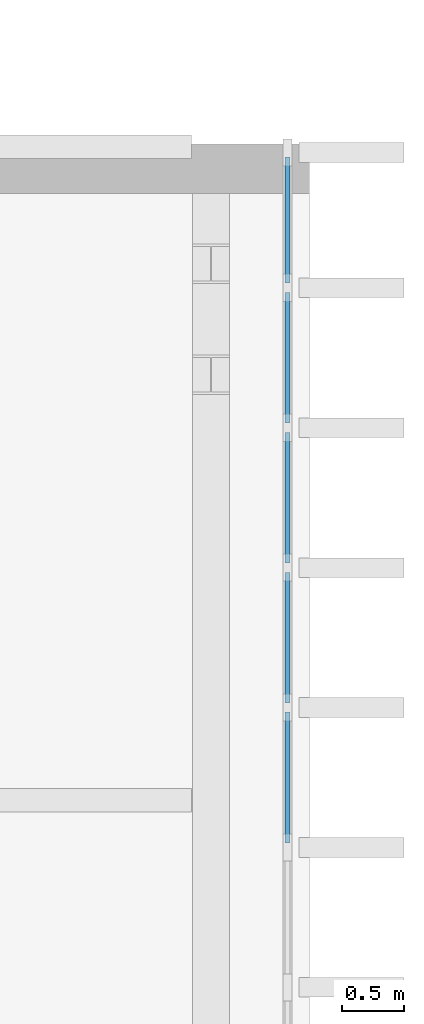
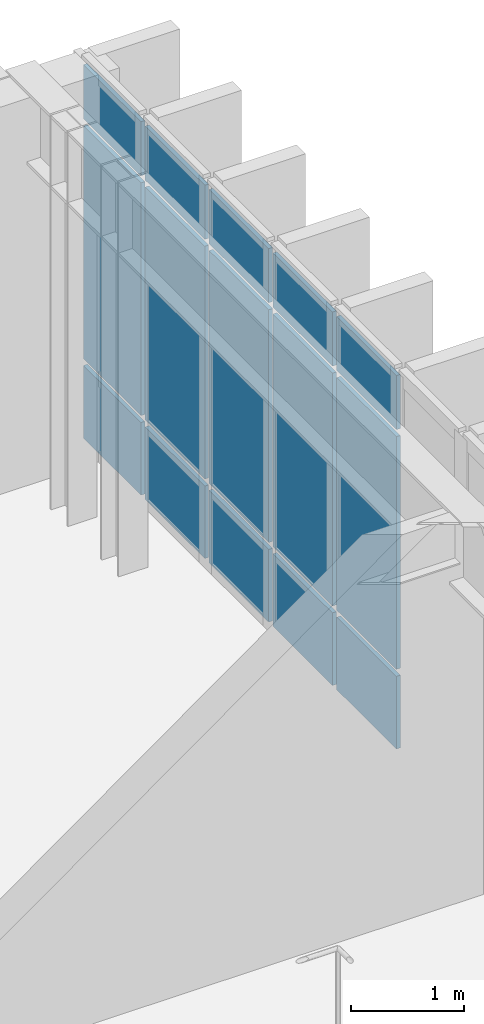
# One storey, part 12 of 23: 15 plates, 1 element without a shape of its own.
"""IFC4 building model written with IfcOpenShell, lengths in metres."""

from ifc_helpers import new_model, si_unit, direction, frame, origin, origin_2d, place, context, subcontext, project, spatial, rectangle, extrude, material, layer, layer_set, type_object, element, aggregate, save


model = new_model("IFC4")

# Units and contexts
model_context = context("Model", 3, precision=1e-05, world=origin(), true_north=direction((0.0, 1.0)))
body_context = subcontext(model_context, "Body", "Model", "MODEL_VIEW")
ifc_project = project(units=[si_unit("LENGTHUNIT", "METRE"), si_unit("AREAUNIT", "SQUARE_METRE"), si_unit("VOLUMEUNIT", "CUBIC_METRE"), si_unit("PLANEANGLEUNIT", "RADIAN"), si_unit("MASSUNIT", "GRAM", prefix="KILO")], contexts=[model_context])

# Site, building, storey
site_placement = place(None, origin())
site = spatial("IfcSite", under=ifc_project, at=site_placement, CompositionType="ELEMENT")
building_placement = place(site_placement, origin())
building = spatial("IfcBuilding", under=site, at=building_placement, Name="Kelarvand Opera House", CompositionType="ELEMENT")
storey_placement = place(building_placement, frame((0.0, 0.0, 19.5)))
storey = spatial("IfcBuildingStorey", under=building, at=storey_placement, Name="L04", CompositionType="ELEMENT", Elevation=19.5)

# Curtain wall, plates
ifc_material_1 = material(Name="Thermally broken aluminium and low-E glazing", Category="aluminium")
ifc_layer_1 = layer(ifc_material_1, 0.219970703125, Name="Thermally broken aluminium and low-E glazing", Category="aluminium")
ifc_layer_set_1 = layer_set([ifc_layer_1], Name="Thermally broken aluminium and low-E glazing")
curtain_wall_type = type_object("IfcCurtainWallType", Name="Unitised Low-E Curtain Wall 15886x4200 Mod 1150 CWF-07", PredefinedType="USERDEFINED", material=ifc_layer_set_1)
curtain_wall_placement = place(storey_placement, origin())
curtain_wall = element("IfcCurtainWall", 1, at=curtain_wall_placement, inside=storey, type_object=curtain_wall_type, Name="V1 L04 Curtain Wall CWF-07 (25)", ObjectType="UNITISED CURTAIN WALL", PredefinedType="USERDEFINED")
ifc_material_2 = material(Name="Acoustic triple-laminated low-E glazing", Category="glass")
ifc_layer_2 = layer(ifc_material_2, 0.0400390625, Name="Acoustic triple-laminated low-E glazing", Category="glass")
ifc_layer_set_2 = layer_set([ifc_layer_2], Name="Acoustic triple-laminated low-E glazing")
plate_type = type_object("IfcPlateType", Name="Acoustic Laminated Plaza Curtain Panel 40mm", PredefinedType="CURTAIN_PANEL", material=ifc_layer_set_2)
plate_1_placement = place(storey_placement, frame((154.820068359375, 77.803955078125, 0.074951171875), z_axis=(0.0, 0.0, 1.0), x_axis=(0.0, -1.0, 0.0)))
plate_1 = element("IfcPlate", 2, at=plate_1_placement, type_object=plate_type, Name="CWF-07 panel 1.1", PredefinedType="CURTAIN_PANEL", context=body_context, shape_type="SweptSolid", body=[
    extrude(rectangle(XDim=1.022216796875, YDim=0.0400390625, at=origin_2d()), origin(), (0.0, 0.0, 1.0), 0.78759765625),
])
plate_2_placement = place(storey_placement, frame((154.820068359375, 77.803955078125, 0.9375), z_axis=(0.0, 0.0, 1.0), x_axis=(0.0, -1.0, 0.0)))
plate_2 = element("IfcPlate", 3, at=plate_2_placement, type_object=plate_type, Name="CWF-07 panel 1.2", PredefinedType="CURTAIN_PANEL", context=body_context, shape_type="SweptSolid", body=[
    extrude(rectangle(XDim=1.022216796875, YDim=0.0400390625, at=origin_2d()), origin(), (0.0, 0.0, 1.0), 2.52490234375),
])
plate_3_placement = place(storey_placement, frame((154.820068359375, 77.803955078125, 3.53759765625), z_axis=(0.0, 0.0, 1.0), x_axis=(0.0, -1.0, 0.0)))
plate_3 = element("IfcPlate", 4, at=plate_3_placement, type_object=plate_type, Name="CWF-07 panel 1.3", PredefinedType="CURTAIN_PANEL", context=body_context, shape_type="SweptSolid", body=[
    extrude(rectangle(XDim=1.022216796875, YDim=0.0400390625, at=origin_2d()), origin(), (0.0, 0.0, 1.0), 0.58740234375),
])
plate_4_placement = place(storey_placement, frame((154.820068359375, 76.68798828125, 0.074951171875), z_axis=(0.0, 0.0, 1.0), x_axis=(0.0, -1.0, 0.0)))
plate_4 = element("IfcPlate", 5, at=plate_4_placement, type_object=plate_type, Name="CWF-07 panel 2.1", PredefinedType="CURTAIN_PANEL", context=body_context, shape_type="SweptSolid", body=[
    extrude(rectangle(XDim=1.059814453125, YDim=0.0400390625, at=origin_2d()), origin(), (0.0, 0.0, 1.0), 0.78759765625),
])
plate_5_placement = place(storey_placement, frame((154.820068359375, 76.68798828125, 0.9375), z_axis=(0.0, 0.0, 1.0), x_axis=(0.0, -1.0, 0.0)))
plate_5 = element("IfcPlate", 6, at=plate_5_placement, type_object=plate_type, Name="CWF-07 panel 2.2", PredefinedType="CURTAIN_PANEL", context=body_context, shape_type="SweptSolid", body=[
    extrude(rectangle(XDim=1.059814453125, YDim=0.0400390625, at=origin_2d()), origin(), (0.0, 0.0, 1.0), 2.52490234375),
])
plate_6_placement = place(storey_placement, frame((154.820068359375, 76.68798828125, 3.53759765625), z_axis=(0.0, 0.0, 1.0), x_axis=(0.0, -1.0, 0.0)))
plate_6 = element("IfcPlate", 7, at=plate_6_placement, type_object=plate_type, Name="CWF-07 panel 2.3", PredefinedType="CURTAIN_PANEL", context=body_context, shape_type="SweptSolid", body=[
    extrude(rectangle(XDim=1.059814453125, YDim=0.0400390625, at=origin_2d()), origin(), (0.0, 0.0, 1.0), 0.58740234375),
])
plate_7_placement = place(storey_placement, frame((154.820068359375, 75.55322265625, 0.074951171875), z_axis=(0.0, 0.0, 1.0), x_axis=(0.0, -1.0, 0.0)))
plate_7 = element("IfcPlate", 8, at=plate_7_placement, type_object=plate_type, Name="CWF-07 panel 3.1", PredefinedType="CURTAIN_PANEL", context=body_context, shape_type="SweptSolid", body=[
    extrude(rectangle(XDim=1.059814453125, YDim=0.0400390625, at=origin_2d()), origin(), (0.0, 0.0, 1.0), 0.78759765625),
])
plate_8_placement = place(storey_placement, frame((154.820068359375, 75.55322265625, 0.9375), z_axis=(0.0, 0.0, 1.0), x_axis=(0.0, -1.0, 0.0)))
plate_8 = element("IfcPlate", 9, at=plate_8_placement, type_object=plate_type, Name="CWF-07 panel 3.2", PredefinedType="CURTAIN_PANEL", context=body_context, shape_type="SweptSolid", body=[
    extrude(rectangle(XDim=1.059814453125, YDim=0.0400390625, at=origin_2d()), origin(), (0.0, 0.0, 1.0), 2.52490234375),
])
plate_9_placement = place(storey_placement, frame((154.820068359375, 75.55322265625, 3.53759765625), z_axis=(0.0, 0.0, 1.0), x_axis=(0.0, -1.0, 0.0)))
plate_9 = element("IfcPlate", 10, at=plate_9_placement, type_object=plate_type, Name="CWF-07 panel 3.3", PredefinedType="CURTAIN_PANEL", context=body_context, shape_type="SweptSolid", body=[
    extrude(rectangle(XDim=1.059814453125, YDim=0.0400390625, at=origin_2d()), origin(), (0.0, 0.0, 1.0), 0.58740234375),
])
plate_10_placement = place(storey_placement, frame((154.820068359375, 74.41845703125, 0.074951171875), z_axis=(0.0, 0.0, 1.0), x_axis=(0.0, -1.0, 0.0)))
plate_10 = element("IfcPlate", 11, at=plate_10_placement, type_object=plate_type, Name="CWF-07 panel 4.1", PredefinedType="CURTAIN_PANEL", context=body_context, shape_type="SweptSolid", body=[
    extrude(rectangle(XDim=1.059814453125, YDim=0.0400390625, at=origin_2d()), origin(), (0.0, 0.0, 1.0), 0.78759765625),
])
plate_11_placement = place(storey_placement, frame((154.820068359375, 74.41845703125, 0.9375), z_axis=(0.0, 0.0, 1.0), x_axis=(0.0, -1.0, 0.0)))
plate_11 = element("IfcPlate", 12, at=plate_11_placement, type_object=plate_type, Name="CWF-07 panel 4.2", PredefinedType="CURTAIN_PANEL", context=body_context, shape_type="SweptSolid", body=[
    extrude(rectangle(XDim=1.059814453125, YDim=0.0400390625, at=origin_2d()), origin(), (0.0, 0.0, 1.0), 2.52490234375),
])
plate_12_placement = place(storey_placement, frame((154.820068359375, 74.41845703125, 3.53759765625), z_axis=(0.0, 0.0, 1.0), x_axis=(0.0, -1.0, 0.0)))
plate_12 = element("IfcPlate", 13, at=plate_12_placement, type_object=plate_type, Name="CWF-07 panel 4.3", PredefinedType="CURTAIN_PANEL", context=body_context, shape_type="SweptSolid", body=[
    extrude(rectangle(XDim=1.059814453125, YDim=0.0400390625, at=origin_2d()), origin(), (0.0, 0.0, 1.0), 0.58740234375),
])
plate_13_placement = place(storey_placement, frame((154.820068359375, 73.28369140625, 0.074951171875), z_axis=(0.0, 0.0, 1.0), x_axis=(0.0, -1.0, 0.0)))
plate_13 = element("IfcPlate", 14, at=plate_13_placement, type_object=plate_type, Name="CWF-07 panel 5.1", PredefinedType="CURTAIN_PANEL", context=body_context, shape_type="SweptSolid", body=[
    extrude(rectangle(XDim=1.059814453125, YDim=0.0400390625, at=origin_2d()), origin(), (0.0, 0.0, 1.0), 0.78759765625),
])
plate_14_placement = place(storey_placement, frame((154.820068359375, 73.28369140625, 0.9375), z_axis=(0.0, 0.0, 1.0), x_axis=(0.0, -1.0, 0.0)))
plate_14 = element("IfcPlate", 15, at=plate_14_placement, type_object=plate_type, Name="CWF-07 panel 5.2", PredefinedType="CURTAIN_PANEL", context=body_context, shape_type="SweptSolid", body=[
    extrude(rectangle(XDim=1.059814453125, YDim=0.0400390625, at=origin_2d()), origin(), (0.0, 0.0, 1.0), 2.52490234375),
])
plate_15_placement = place(storey_placement, frame((154.820068359375, 73.28369140625, 3.53759765625), z_axis=(0.0, 0.0, 1.0), x_axis=(0.0, -1.0, 0.0)))
plate_15 = element("IfcPlate", 16, at=plate_15_placement, type_object=plate_type, Name="CWF-07 panel 5.3", PredefinedType="CURTAIN_PANEL", context=body_context, shape_type="SweptSolid", body=[
    extrude(rectangle(XDim=1.059814453125, YDim=0.0400390625, at=origin_2d()), origin(), (0.0, 0.0, 1.0), 0.58740234375),
])
aggregate(curtain_wall, [plate_1, plate_2, plate_3, plate_4, plate_5, plate_6, plate_7, plate_8, plate_9, plate_10, plate_11, plate_12, plate_13, plate_14, plate_15])

save(model, "model.ifc")
